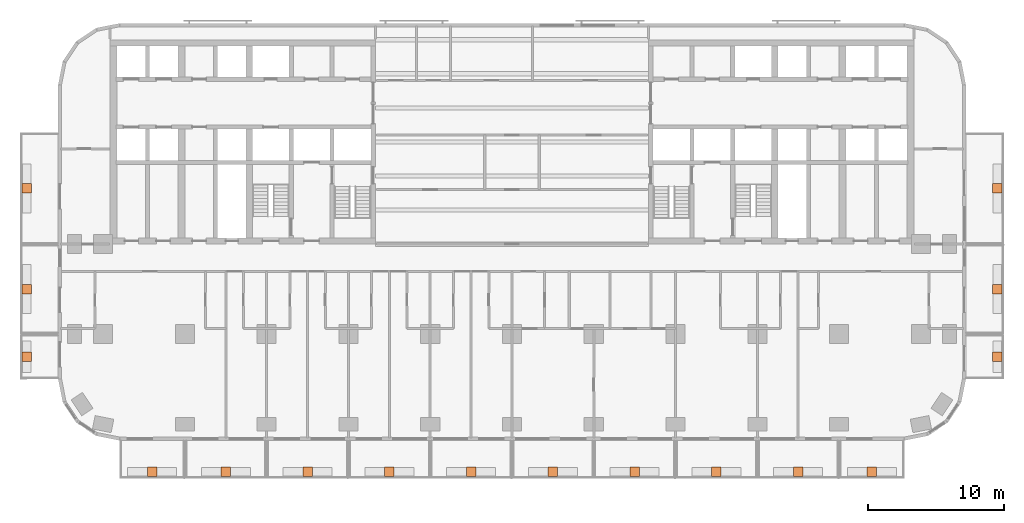
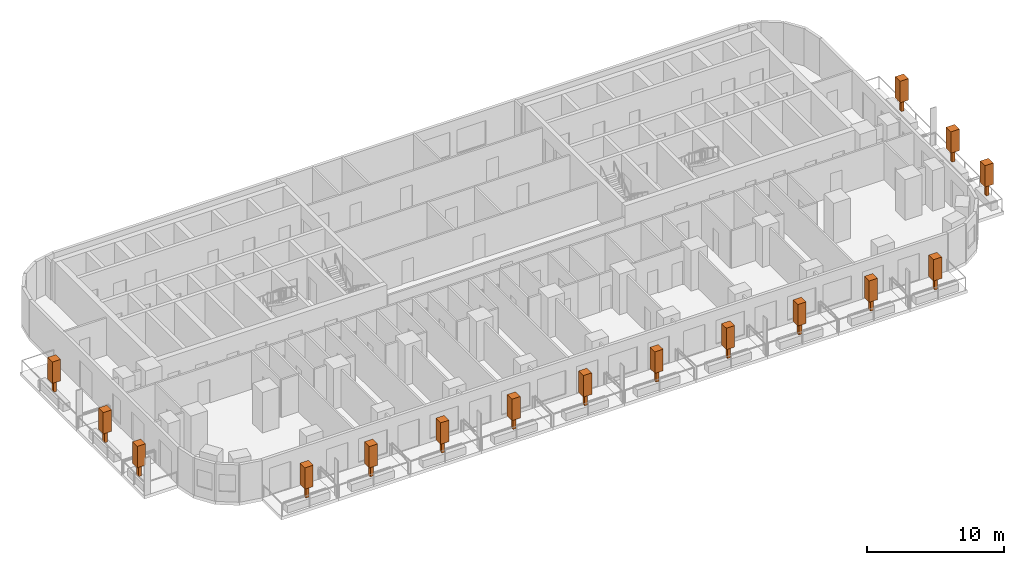
# One storey, part 13 of 13: 16 geographic elements.
"""IFC4 building model written with IfcOpenShell, lengths in metres."""

from ifc_helpers import new_model, si_unit, direction, frame, origin, origin_2d, place, context, subcontext, project, spatial, rectangle, extrude, material, element, save


model = new_model("IFC4")

# Units and contexts
model_context = context("Model", 3, precision=1e-05, world=origin(), true_north=direction((0.0, 1.0)))
body_context = subcontext(model_context, "Body", "Model", "MODEL_VIEW")
ifc_project = project(units=[si_unit("LENGTHUNIT", "METRE"), si_unit("AREAUNIT", "SQUARE_METRE"), si_unit("VOLUMEUNIT", "CUBIC_METRE"), si_unit("PLANEANGLEUNIT", "RADIAN"), si_unit("MASSUNIT", "GRAM", prefix="KILO")], contexts=[model_context])

# Site, building, storey
site_placement = place(None, origin())
site = spatial("IfcSite", under=ifc_project, at=site_placement, CompositionType="ELEMENT")
building_placement = place(site_placement, origin())
building = spatial("IfcBuilding", under=site, at=building_placement, Name="Torana Hotel and Residences", CompositionType="ELEMENT")
storey_placement = place(building_placement, frame((0.0, 0.0, 60.0)))
storey = spatial("IfcBuildingStorey", under=building, at=storey_placement, Name="L14", CompositionType="ELEMENT", Elevation=60.0)

# Geographic elements
ifc_material = material(Name="Foliage", Category="planting")
for number, where, z_axis, x_axis, name in (
    (1, (-26.39990234375, -31.699951171875, 0.64990234375), (0.0, 0.0, 1.0), (1.0, 0.0, 0.0), "Tree 01"),
    (2, (-21.0, -31.699951171875, 0.64990234375), (0.0, 0.0, 1.0), (1.0, 0.0, 0.0), "Tree 02"),
    (3, (-15.0, -31.699951171875, 0.64990234375), (0.0, 0.0, 1.0), (1.0, 0.0, 0.0), "Tree 03"),
    (4, (-9.0, -31.699951171875, 0.64990234375), (0.0, 0.0, 1.0), (1.0, 0.0, 0.0), "Tree 04"),
    (5, (-3.0, -31.699951171875, 0.64990234375), (0.0, 0.0, 1.0), (1.0, 0.0, 0.0), "Tree 05"),
    (6, (3.0, -31.699951171875, 0.64990234375), (0.0, 0.0, 1.0), (1.0, 0.0, 0.0), "Tree 06"),
    (7, (9.0, -31.699951171875, 0.64990234375), (0.0, 0.0, 1.0), (1.0, 0.0, 0.0), "Tree 07"),
    (8, (15.0, -31.699951171875, 0.64990234375), (0.0, 0.0, 1.0), (1.0, 0.0, 0.0), "Tree 08"),
    (9, (21.0, -31.699951171875, 0.64990234375), (0.0, 0.0, 1.0), (1.0, 0.0, 0.0), "Tree 09"),
    (10, (26.39990234375, -31.699951171875, 0.64990234375), (0.0, 0.0, 1.0), (1.0, 0.0, 0.0), "Tree 10"),
    (11, (-35.60009765625, -23.25, 0.64990234375), (0.0, 0.0, 1.0), (1.0, 0.0, 0.0), "Tree 11"),
    (12, (-35.60009765625, -18.300048828125, 0.64990234375), (0.0, 0.0, 1.0), (1.0, 0.0, 0.0), "Tree 12"),
    (13, (-35.60009765625, -10.89990234375, 0.64990234375), (0.0, 0.0, 1.0), (1.0, 0.0, 0.0), "Tree 13"),
    (14, (35.60009765625, -23.25, 0.64990234375), (0.0, 0.0, 1.0), (1.0, 0.0, 0.0), "Tree 14"),
    (15, (35.60009765625, -18.300048828125, 0.64990234375), (0.0, 0.0, 1.0), (1.0, 0.0, 0.0), "Tree 15"),
    (16, (35.60009765625, -10.89990234375, 0.64990234375), (0.0, 0.0, 1.0), (1.0, 0.0, 0.0), "Tree 16"),
):
    element("IfcGeographicElement", number, at=place(storey_placement, frame(where, z_axis=z_axis, x_axis=x_axis)), inside=storey, material=ifc_material, Name=name, ObjectType="TREE", PredefinedType="USERDEFINED", context=body_context, shape_type="SweptSolid", body=[
        extrude(rectangle(XDim=0.25, YDim=0.25, at=origin_2d()), origin(), (0.0, 0.0, 1.0), 1.0),
        extrude(rectangle(XDim=0.699951171875, YDim=0.699951171875, at=origin_2d()), frame((0.0, 0.0, 1.000244140625)), (0.0, 0.0, 1.0), 1.89990234375),
    ])

save(model, "model.ifc")
